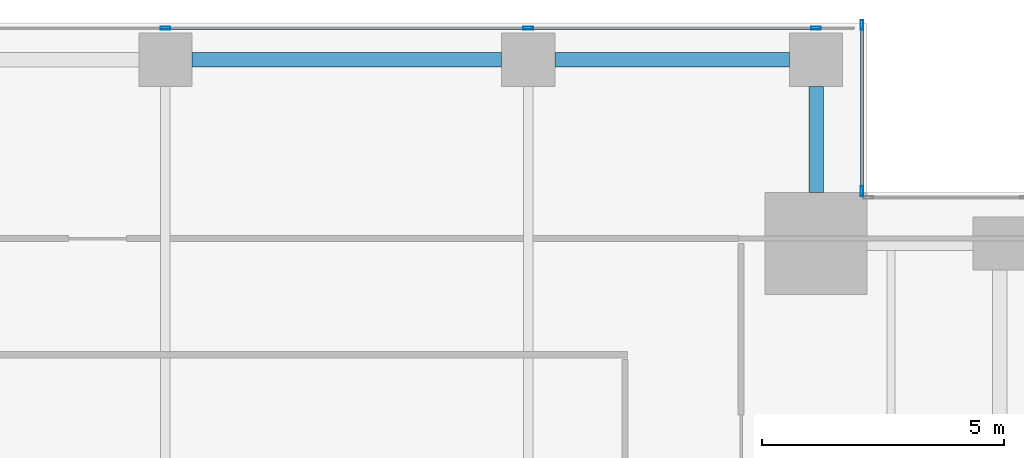
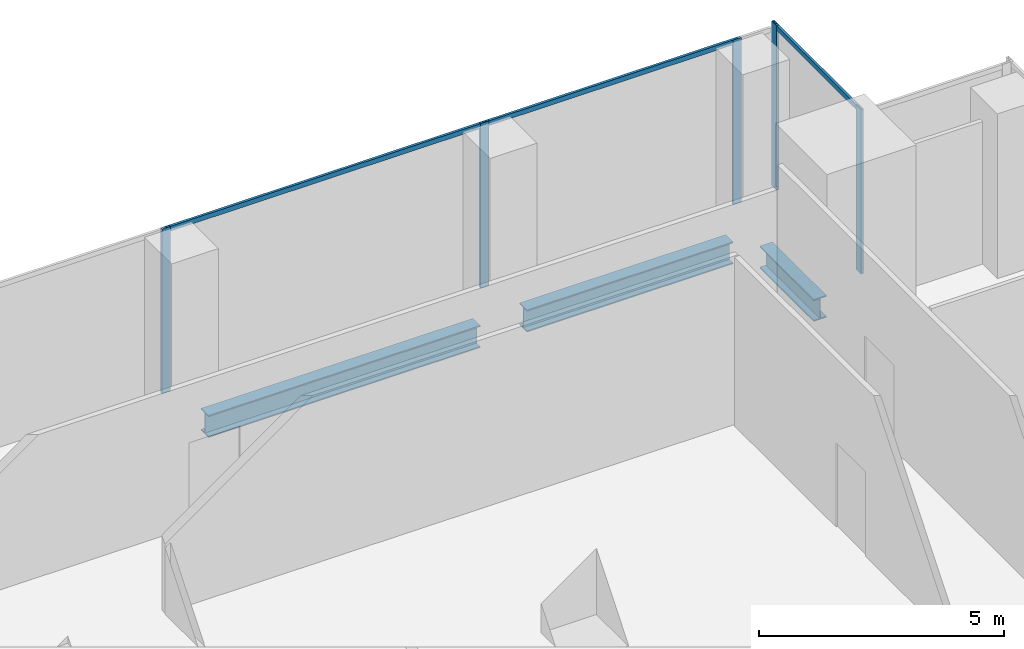
# One storey, part 20 of 34: 8 members, 3 beams, 2 elements without a shape of their own.
"""IFC4 building model written with IfcOpenShell, lengths in metres."""

from ifc_helpers import new_model, si_unit, direction, frame, origin, origin_2d, place, context, subcontext, project, spatial, hollow_rectangle, i_section, extrude, source, transform, mapped, material, material_profile, profile_set, type_object, element, aggregate, save


model = new_model("IFC4")

# Units and contexts
model_context = context("Model", 3, precision=1e-05, world=origin(), true_north=direction((0.0, 1.0)))
body_context = subcontext(model_context, "Body", "Model", "MODEL_VIEW")
ifc_project = project(units=[si_unit("LENGTHUNIT", "METRE"), si_unit("AREAUNIT", "SQUARE_METRE"), si_unit("VOLUMEUNIT", "CUBIC_METRE"), si_unit("PLANEANGLEUNIT", "RADIAN"), si_unit("MASSUNIT", "GRAM", prefix="KILO")], contexts=[model_context])

# Site, building, storey
site_placement = place(None, origin())
site = spatial("IfcSite", under=ifc_project, at=site_placement, CompositionType="ELEMENT")
building_placement = place(site_placement, origin())
building = spatial("IfcBuilding", under=site, at=building_placement, Name="Khomas Fold Tower", CompositionType="ELEMENT")
storey_placement = place(building_placement, frame((0.0, 0.0, 105.89990234375)))
storey = spatial("IfcBuildingStorey", under=building, at=storey_placement, Name="L22", CompositionType="ELEMENT", Elevation=105.89990234375)

# Beams
ifc_material_1 = material(Name="Steel S355", Category="steel")
ifc_material_profile_1 = material_profile(ifc_material_1, i_section(OverallWidth=0.300048828125, OverallDepth=0.550048828125, WebThickness=0.014892578125, FlangeThickness=0.029052734375, at=origin_2d()), Name="HE 550 B")
ifc_profile_set_1 = profile_set([ifc_material_profile_1], Name="Steel S355")
beam_type = type_object("IfcBeamType", Name="HE 550 B spandrel SB2", PredefinedType="SPANDREL", material=ifc_profile_set_1)
shared_shape_1 = source(origin(), body_context, "Body", "SweptSolid", [
    extrude(i_section(OverallWidth=0.300048828125, OverallDepth=0.550048828125, WebThickness=0.014892578125, FlangeThickness=0.029052734375, at=origin_2d()), origin(), (0.0, 0.0, 1.0), 4.849853515625),
])
beam_1_placement = place(storey_placement, frame((42.550048828125, 51.75, -0.574951171875), z_axis=(1.0, 0.0, 0.0), x_axis=(0.0, 1.0, 0.0)))
element("IfcBeam", 1, at=beam_1_placement, inside=storey, type_object=beam_type, Name="SB2", PredefinedType="SPANDREL", context=body_context, shape_type="MappedRepresentation", body=[
    mapped(shared_shape_1, transform((0.0, 0.0, 0.0))),
])
shared_shape_2 = source(origin(), body_context, "Body", "SweptSolid", [
    extrude(i_section(OverallWidth=0.300048828125, OverallDepth=0.550048828125, WebThickness=0.014892578125, FlangeThickness=0.029052734375, at=origin_2d()), origin(), (0.0, 0.0, 1.0), 6.39990234375),
])
beam_2_placement = place(storey_placement, frame((35.050048828125, 51.75, -0.574951171875), z_axis=(1.0, 0.0, 0.0), x_axis=(0.0, 1.0, 0.0)))
element("IfcBeam", 2, at=beam_2_placement, inside=storey, type_object=beam_type, Name="SB2", PredefinedType="SPANDREL", context=body_context, shape_type="MappedRepresentation", body=[
    mapped(shared_shape_2, transform((0.0, 0.0, 0.0))),
])
shared_shape_3 = source(origin(), body_context, "Body", "SweptSolid", [
    extrude(i_section(OverallWidth=0.300048828125, OverallDepth=0.550048828125, WebThickness=0.014892578125, FlangeThickness=0.029052734375, at=origin_2d()), origin(), (0.0, 0.0, 1.0), 2.199951171875),
])
beam_3_placement = place(storey_placement, frame((47.949951171875, 49.0, -0.574951171875), z_axis=(0.0, 1.0, 0.0), x_axis=(-1.0, 0.0, 0.0)))
element("IfcBeam", 3, at=beam_3_placement, inside=storey, type_object=beam_type, Name="SB2", PredefinedType="SPANDREL", context=body_context, shape_type="MappedRepresentation", body=[
    mapped(shared_shape_3, transform((0.0, 0.0, 0.0))),
])

# Curtain wall, member
ifc_material_2 = material(Name="Aluminium framed double glazing", Category="aluminium")
curtain_wall_type = type_object("IfcCurtainWallType", Name="SK-Unitised clear-glass wall, growing floors CW1", PredefinedType="NOTDEFINED", material=ifc_material_2)
curtain_wall_1_placement = place(storey_placement, origin())
curtain_wall_1 = element("IfcCurtainWall", 4, at=curtain_wall_1_placement, inside=storey, type_object=curtain_wall_type, Name="CW1 run L22 06-0", PredefinedType="NOTDEFINED")
ifc_material_3 = material(Name="Aluminium", Category="aluminium")
ifc_material_profile_2 = material_profile(ifc_material_3, hollow_rectangle(XDim=0.06005859375, YDim=0.1201171875, WallThickness=0.00390625, at=origin_2d()), Name="SK-Unitised clear-glass wall, growing floors transom CW1-T")
ifc_profile_set_2 = profile_set([ifc_material_profile_2], Name="Aluminium")
member_type_1 = type_object("IfcMemberType", Name="SK-Unitised clear-glass wall, growing floors transom CW1-T", PredefinedType="USERDEFINED", material=ifc_profile_set_2)
shared_shape_4 = source(origin(), body_context, "Body", "SweptSolid", [
    extrude(hollow_rectangle(XDim=0.06005859375, YDim=0.1201171875, WallThickness=0.00390625, at=origin_2d()), origin(), (0.0, 0.0, 1.0), 7.43994140625),
])
member_1_placement = place(storey_placement, frame((41.969970703125, 52.39990234375, 4.0400390625), z_axis=(-1.0, 0.0, 0.0), x_axis=(0.0, -1.0, 0.0)))
member_1 = element("IfcMember", 5, at=member_1_placement, type_object=member_type_1, Name="CW1 transom 3", ObjectType="TRANSOM", PredefinedType="USERDEFINED", context=body_context, shape_type="MappedRepresentation", body=[
    mapped(shared_shape_4, transform((0.0, 0.0, 0.0))),
])

# Curtain wall, members
curtain_wall_2_placement = place(storey_placement, origin())
curtain_wall_2 = element("IfcCurtainWall", 6, at=curtain_wall_2_placement, inside=storey, type_object=curtain_wall_type, Name="CW1 corner return L22 05", PredefinedType="NOTDEFINED")
ifc_material_4 = material(Name="Aluminium", Category="aluminium")
ifc_material_profile_3 = material_profile(ifc_material_4, hollow_rectangle(XDim=0.06005859375, YDim=0.199951171875, WallThickness=0.00390625, at=origin_2d()), Name="SK-Unitised clear-glass wall, growing floors mullion CW1-M")
ifc_profile_set_3 = profile_set([ifc_material_profile_3], Name="Aluminium")
member_type_2 = type_object("IfcMemberType", Name="SK-Unitised clear-glass wall, growing floors mullion CW1-M", PredefinedType="MULLION", material=ifc_profile_set_3)
shared_shape_5 = source(origin(), body_context, "Body", "SweptSolid", [
    extrude(hollow_rectangle(XDim=0.06005859375, YDim=0.199951171875, WallThickness=0.00390625, at=origin_2d()), origin(), (0.0, 0.0, 1.0), 4.10009765625),
])
member_2_placement = place(storey_placement, frame((48.89990234375, 49.030029296875, 0.0), z_axis=(0.0, 0.0, 1.0), x_axis=(-1.0, 0.0, 0.0)))
member_2 = element("IfcMember", 7, at=member_2_placement, type_object=member_type_2, Name="CW1 mullion 1", PredefinedType="MULLION", context=body_context, shape_type="MappedRepresentation", body=[
    mapped(shared_shape_5, transform((0.0, 0.0, 0.0))),
])
member_3_placement = place(storey_placement, frame((48.89990234375, 52.469970703125, 0.0), z_axis=(0.0, 0.0, 1.0), x_axis=(-1.0, 0.0, 0.0)))
member_3 = element("IfcMember", 8, at=member_3_placement, type_object=member_type_2, Name="CW1 mullion 2", PredefinedType="MULLION", context=body_context, shape_type="MappedRepresentation", body=[
    mapped(shared_shape_5, transform((0.0, 0.0, 0.0))),
])

# Member
member_4_placement = place(storey_placement, frame((47.949951171875, 52.39990234375, 0.0), z_axis=(0.0, 0.0, 1.0), x_axis=(0.0, -1.0, 0.0)))
member_4 = element("IfcMember", 9, at=member_4_placement, type_object=member_type_2, Name="CW1 mullion 2", PredefinedType="MULLION", context=body_context, shape_type="MappedRepresentation", body=[
    mapped(shared_shape_5, transform((0.0, 0.0, 0.0))),
])

member_5_placement = place(storey_placement, frame((42.0, 52.39990234375, 0.0), z_axis=(0.0, 0.0, 1.0), x_axis=(0.0, -1.0, 0.0)))
member_5 = element("IfcMember", 10, at=member_5_placement, type_object=member_type_2, Name="CW1 mullion 3", PredefinedType="MULLION", context=body_context, shape_type="MappedRepresentation", body=[
    mapped(shared_shape_5, transform((0.0, 0.0, 0.0))),
])

member_6_placement = place(storey_placement, frame((34.5, 52.39990234375, 0.0), z_axis=(0.0, 0.0, 1.0), x_axis=(0.0, -1.0, 0.0)))
member_6 = element("IfcMember", 11, at=member_6_placement, type_object=member_type_2, Name="CW1 mullion 4", PredefinedType="MULLION", context=body_context, shape_type="MappedRepresentation", body=[
    mapped(shared_shape_5, transform((0.0, 0.0, 0.0))),
])

shared_shape_6 = source(origin(), body_context, "Body", "SweptSolid", [
    extrude(hollow_rectangle(XDim=0.06005859375, YDim=0.1201171875, WallThickness=0.00390625, at=origin_2d()), origin(), (0.0, 0.0, 1.0), 5.889892578125),
])
member_7_placement = place(storey_placement, frame((47.919921875, 52.39990234375, 4.0400390625), z_axis=(-1.0, 0.0, 0.0), x_axis=(0.0, -1.0, 0.0)))
member_7 = element("IfcMember", 12, at=member_7_placement, type_object=member_type_1, Name="CW1 transom 2", ObjectType="TRANSOM", PredefinedType="USERDEFINED", context=body_context, shape_type="MappedRepresentation", body=[
    mapped(shared_shape_6, transform((0.0, 0.0, 0.0))),
])

aggregate(curtain_wall_1, [member_4, member_5, member_6, member_7, member_1])

shared_shape_7 = source(origin(), body_context, "Body", "SweptSolid", [
    extrude(hollow_rectangle(XDim=0.06005859375, YDim=0.1201171875, WallThickness=0.00390625, at=origin_2d()), origin(), (0.0, 0.0, 1.0), 3.3798828125),
])
member_8_placement = place(storey_placement, frame((48.89990234375, 49.06005859375, 4.0400390625), z_axis=(0.0, 1.0, 0.0), x_axis=(-1.0, 0.0, 0.0)))
member_8 = element("IfcMember", 13, at=member_8_placement, type_object=member_type_1, Name="CW1 transom 1", ObjectType="TRANSOM", PredefinedType="USERDEFINED", context=body_context, shape_type="MappedRepresentation", body=[
    mapped(shared_shape_7, transform((0.0, 0.0, 0.0))),
])

aggregate(curtain_wall_2, [member_2, member_3, member_8])

save(model, "model.ifc")
